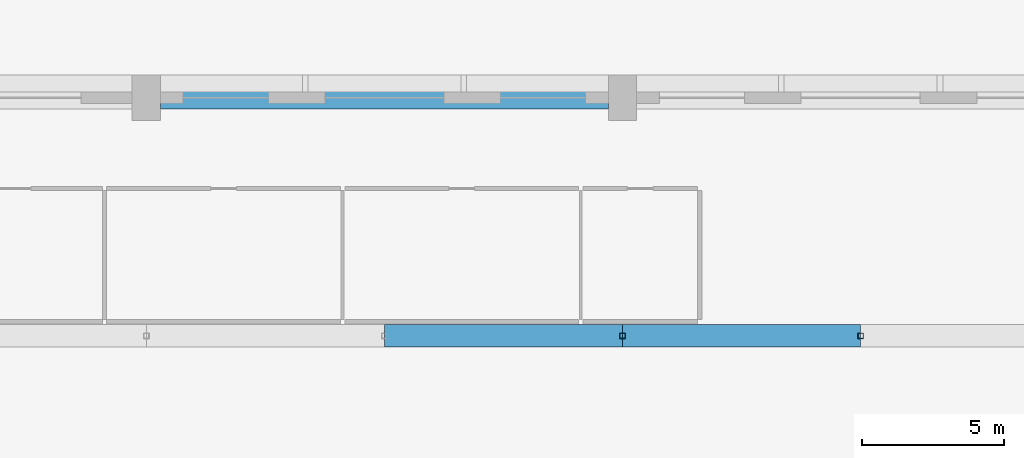
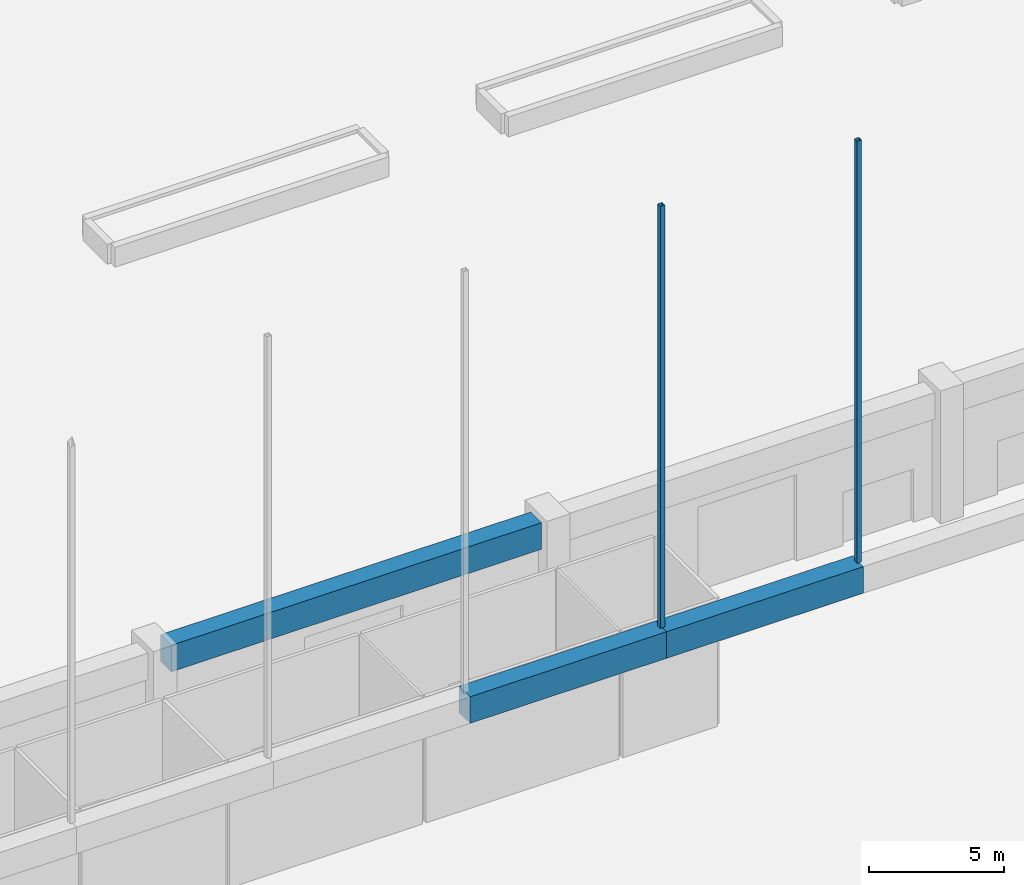
# One storey, part 68 of 210: 3 beams, 2 members.
"""IFC4 building model written with IfcOpenShell, lengths in metres."""

from ifc_helpers import new_model, si_unit, direction, frame, origin, origin_2d, place, context, subcontext, project, spatial, rectangle, hollow_rectangle, extrude, material, material_profile, profile_set, type_object, element, save


model = new_model("IFC4")

# Units and contexts
model_context = context("Model", 3, precision=1e-05, world=origin(), true_north=direction((0.0, 1.0)))
body_context = subcontext(model_context, "Body", "Model", "MODEL_VIEW")
ifc_project = project(units=[si_unit("LENGTHUNIT", "METRE"), si_unit("AREAUNIT", "SQUARE_METRE"), si_unit("VOLUMEUNIT", "CUBIC_METRE"), si_unit("PLANEANGLEUNIT", "RADIAN"), si_unit("MASSUNIT", "GRAM", prefix="KILO")], contexts=[model_context])

# Site, building, storey
site_placement = place(None, origin())
site = spatial("IfcSite", under=ifc_project, at=site_placement, CompositionType="ELEMENT")
building_placement = place(site_placement, origin())
building = spatial("IfcBuilding", under=site, at=building_placement, Name="Rain Tree Exposition and Congress Centre", CompositionType="ELEMENT")
storey_placement = place(building_placement, origin())
storey = spatial("IfcBuildingStorey", under=building, at=storey_placement, Name="L00", CompositionType="ELEMENT", Elevation=0.0)

# Beams
ifc_material_1 = material(Name="Precast concrete C50/60", Category="concrete")
ifc_material_profile_1 = material_profile(ifc_material_1, rectangle(XDim=0.800048828125, YDim=1.199951171875, at=origin_2d()), Name="RC 800x1200")
ifc_profile_set_1 = profile_set([ifc_material_profile_1], Name="Precast concrete C50/60")
beam_type = type_object("IfcBeamType", Name="Precast beam 800x1200", PredefinedType="BEAM", material=ifc_profile_set_1)
beam_1_placement = place(storey_placement, frame((176.89990234375, 201.60009765625, 5.10009765625), z_axis=(1.0, 0.0, 0.0), x_axis=(0.0, 1.0, 0.0)))
element("IfcBeam", 1, at=beam_1_placement, inside=storey, type_object=beam_type, Name="Gallery perimeter beam 9", PredefinedType="BEAM", context=body_context, shape_type="SweptSolid", body=[
    extrude(rectangle(XDim=0.800048828125, YDim=1.199951171875, at=origin_2d()), origin(), (0.0, 0.0, 1.0), 15.800048828125),
])
beam_2_placement = place(storey_placement, frame((184.800048828125, 193.199951171875, 5.10009765625), z_axis=(1.0, 0.0, 0.0), x_axis=(0.0, 1.0, 0.0)))
element("IfcBeam", 2, at=beam_2_placement, inside=storey, type_object=beam_type, Name="Gallery edge beam 24", PredefinedType="BEAM", context=body_context, shape_type="SweptSolid", body=[
    extrude(rectangle(XDim=0.800048828125, YDim=1.199951171875, at=origin_2d()), origin(), (0.0, 0.0, 1.0), 8.39990234375),
])
beam_3_placement = place(storey_placement, frame((193.199951171875, 193.199951171875, 5.10009765625), z_axis=(1.0, 0.0, 0.0), x_axis=(0.0, 1.0, 0.0)))
element("IfcBeam", 3, at=beam_3_placement, inside=storey, type_object=beam_type, Name="Gallery edge beam 25", PredefinedType="BEAM", context=body_context, shape_type="SweptSolid", body=[
    extrude(rectangle(XDim=0.800048828125, YDim=1.199951171875, at=origin_2d()), origin(), (0.0, 0.0, 1.0), 8.400146484375),
])

# Members
ifc_material_2 = material(Name="Steel S355J2H", Category="steel")
ifc_material_profile_2 = material_profile(ifc_material_2, hollow_rectangle(XDim=0.199951171875, YDim=0.199951171875, WallThickness=0.009033203125, at=origin_2d()), Name="RHS 200x200x9")
ifc_profile_set_2 = profile_set([ifc_material_profile_2], Name="Steel S355J2H")
member_type = type_object("IfcMemberType", Name="Steel member member RHS 200x200x9", PredefinedType="MEMBER", material=ifc_profile_set_2)
for number, where, z_axis, x_axis, name in (
    (4, (193.199951171875, 193.199951171875, 5.699951171875), (0.0, 0.0, 1.0), (1.0, 0.0, 0.0), "Gallery hanger 34"),
    (5, (201.60009765625, 193.199951171875, 5.699951171875), (0.0, 0.0, 1.0), (1.0, 0.0, 0.0), "Gallery hanger 35"),
):
    element("IfcMember", number, at=place(storey_placement, frame(where, z_axis=z_axis, x_axis=x_axis)), inside=storey, type_object=member_type, Name=name, PredefinedType="MEMBER", context=body_context, shape_type="SweptSolid", body=[
        extrude(hollow_rectangle(XDim=0.199951171875, YDim=0.199951171875, WallThickness=0.009033203125, at=origin_2d()), origin(), (0.0, 0.0, 1.0), 19.0439453125),
    ])

save(model, "model.ifc")
